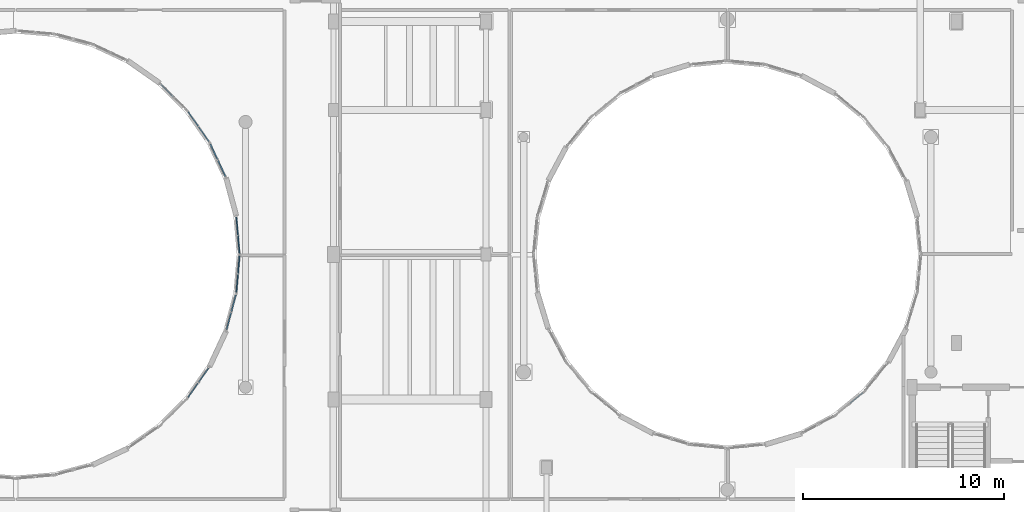
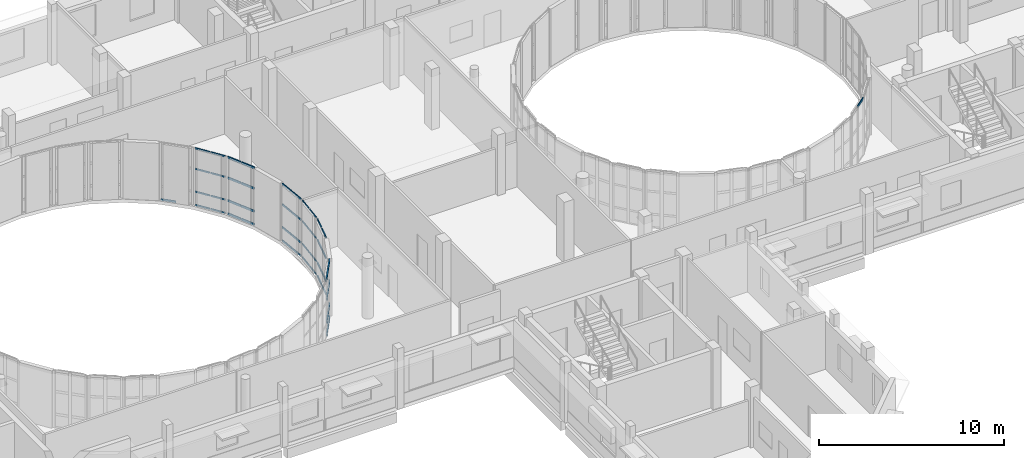
# One storey, part 49 of 92: 50 members, 8 elements without a shape of their own.
"""IFC4 building model written with IfcOpenShell, lengths in metres."""

from ifc_helpers import new_model, si_unit, direction, frame, origin, origin_2d, place, context, subcontext, project, spatial, hollow_rectangle, extrude, material, layer, layer_set, material_profile, profile_set, type_object, element, aggregate, save


model = new_model("IFC4")

# Units and contexts
model_context = context("Model", 3, precision=1e-05, world=origin(), true_north=direction((0.0, 1.0)))
body_context = subcontext(model_context, "Body", "Model", "MODEL_VIEW")
ifc_project = project(units=[si_unit("LENGTHUNIT", "METRE"), si_unit("AREAUNIT", "SQUARE_METRE"), si_unit("VOLUMEUNIT", "CUBIC_METRE"), si_unit("PLANEANGLEUNIT", "RADIAN"), si_unit("MASSUNIT", "GRAM", prefix="KILO")], contexts=[model_context])

# Site, building, storey
site_placement = place(None, origin())
site = spatial("IfcSite", under=ifc_project, at=site_placement, CompositionType="ELEMENT")
building_placement = place(site_placement, origin())
building = spatial("IfcBuilding", under=site, at=building_placement, Name="Kelanivale Promenade Academy", CompositionType="ELEMENT")
storey_placement = place(building_placement, frame((0.0, 0.0, 8.199951171875)))
storey = spatial("IfcBuildingStorey", under=building, at=storey_placement, Name="L02", CompositionType="ELEMENT", Elevation=8.199951171875)

# Curtain wall, members
ifc_material_1 = material(Name="Bronze anodised aluminium and solar-control low-E glass", Category="aluminium")
ifc_layer_1 = layer(ifc_material_1, 0.159912109375)
ifc_layer_set_1 = layer_set([ifc_layer_1], Name="Bronze anodised aluminium and solar-control low-E glass")
curtain_wall_type_1 = type_object("IfcCurtainWallType", Name="CW-09 Curtain Wall 1650mm Module", PredefinedType="USERDEFINED", material=ifc_layer_set_1)
curtain_wall_1_placement = place(storey_placement, origin())
curtain_wall_1 = element("IfcCurtainWall", 1, at=curtain_wall_1_placement, inside=storey, type_object=curtain_wall_type_1, Name="L02 courtyard curtain wall CW-09", ObjectType="UNITISED GLAZING", PredefinedType="USERDEFINED")
ifc_material_2 = material(Name="Bronze anodised aluminium EN AW-6063 T6", Category="aluminium")
ifc_material_profile_1 = material_profile(ifc_material_2, hollow_rectangle(XDim=0.050048828125, YDim=0.10009765625, WallThickness=0.0029296875, at=origin_2d()), Name="ALU 50x100x3.0")
ifc_profile_set_1 = profile_set([ifc_material_profile_1], Name="Bronze anodised aluminium EN AW-6063 T6")
member_type_1 = type_object("IfcMemberType", Name="CWT-01 ALU 50x100x3.0", PredefinedType="USERDEFINED", material=ifc_profile_set_1)
member_1_placement = place(storey_placement, frame((73.006591796875, 62.42919921875, 0.025146484375), z_axis=(-0.573556641726, 0.819165904278, 0.0), x_axis=(-0.819165904278, -0.573556641726, 0.0)))
member_1 = element("IfcMember", 2, at=member_1_placement, type_object=member_type_1, Name="CW-09 transom 1.1", ObjectType="TRANSOM", PredefinedType="USERDEFINED", context=body_context, shape_type="SweptSolid", body=[
    extrude(hollow_rectangle(XDim=0.050048828125, YDim=0.10009765625, WallThickness=0.0029296875, at=origin_2d()), origin(), (0.0, 0.0, 1.0), 0.86865234375),
])
member_2_placement = place(storey_placement, frame((73.006591796875, 62.42919921875, 0.900146484375), z_axis=(-0.573556641726, 0.819165904278, 0.0), x_axis=(-0.819165904278, -0.573556641726, 0.0)))
member_2 = element("IfcMember", 3, at=member_2_placement, type_object=member_type_1, Name="CW-09 transom 1.2", ObjectType="TRANSOM", PredefinedType="USERDEFINED", context=body_context, shape_type="SweptSolid", body=[
    extrude(hollow_rectangle(XDim=0.050048828125, YDim=0.10009765625, WallThickness=0.0029296875, at=origin_2d()), origin(), (0.0, 0.0, 1.0), 0.86865234375),
])
member_3_placement = place(storey_placement, frame((73.006591796875, 62.42919921875, 2.400146484375), z_axis=(-0.573556641726, 0.819165904278, 0.0), x_axis=(-0.819165904278, -0.573556641726, 0.0)))
member_3 = element("IfcMember", 4, at=member_3_placement, type_object=member_type_1, Name="CW-09 transom 1.3", ObjectType="TRANSOM", PredefinedType="USERDEFINED", context=body_context, shape_type="SweptSolid", body=[
    extrude(hollow_rectangle(XDim=0.050048828125, YDim=0.10009765625, WallThickness=0.0029296875, at=origin_2d()), origin(), (0.0, 0.0, 1.0), 0.86865234375),
])
member_4_placement = place(storey_placement, frame((73.006591796875, 62.42919921875, 3.755126953125), z_axis=(-0.573556641726, 0.819165904278, 0.0), x_axis=(-0.819165904278, -0.573556641726, 0.0)))
member_4 = element("IfcMember", 5, at=member_4_placement, type_object=member_type_1, Name="CW-09 transom 1.4", ObjectType="TRANSOM", PredefinedType="USERDEFINED", context=body_context, shape_type="SweptSolid", body=[
    extrude(hollow_rectangle(XDim=0.050048828125, YDim=0.10009765625, WallThickness=0.0029296875, at=origin_2d()), origin(), (0.0, 0.0, 1.0), 0.86865234375),
])
member_5_placement = place(storey_placement, frame((72.473876953125, 63.190185546875, 0.025146484375), z_axis=(-0.573745168069, 0.819033871166, 0.0), x_axis=(-0.819033871166, -0.573745168069, 0.0)))
member_5 = element("IfcMember", 6, at=member_5_placement, type_object=member_type_1, Name="CW-09 transom 2.1", ObjectType="TRANSOM", PredefinedType="USERDEFINED", context=body_context, shape_type="SweptSolid", body=[
    extrude(hollow_rectangle(XDim=0.050048828125, YDim=0.10009765625, WallThickness=0.0029296875, at=origin_2d()), origin(), (0.0, 0.0, 1.0), 0.868896484375),
])
member_6_placement = place(storey_placement, frame((72.473876953125, 63.190185546875, 0.900146484375), z_axis=(-0.573745168069, 0.819033871166, 0.0), x_axis=(-0.819033871166, -0.573745168069, 0.0)))
member_6 = element("IfcMember", 7, at=member_6_placement, type_object=member_type_1, Name="CW-09 transom 2.2", ObjectType="TRANSOM", PredefinedType="USERDEFINED", context=body_context, shape_type="SweptSolid", body=[
    extrude(hollow_rectangle(XDim=0.050048828125, YDim=0.10009765625, WallThickness=0.0029296875, at=origin_2d()), origin(), (0.0, 0.0, 1.0), 0.868896484375),
])
member_7_placement = place(storey_placement, frame((72.473876953125, 63.190185546875, 2.400146484375), z_axis=(-0.573745168069, 0.819033871166, 0.0), x_axis=(-0.819033871166, -0.573745168069, 0.0)))
member_7 = element("IfcMember", 8, at=member_7_placement, type_object=member_type_1, Name="CW-09 transom 2.3", ObjectType="TRANSOM", PredefinedType="USERDEFINED", context=body_context, shape_type="SweptSolid", body=[
    extrude(hollow_rectangle(XDim=0.050048828125, YDim=0.10009765625, WallThickness=0.0029296875, at=origin_2d()), origin(), (0.0, 0.0, 1.0), 0.868896484375),
])
member_8_placement = place(storey_placement, frame((72.473876953125, 63.190185546875, 3.755126953125), z_axis=(-0.573745168069, 0.819033871166, 0.0), x_axis=(-0.819033871166, -0.573745168069, 0.0)))
member_8 = element("IfcMember", 9, at=member_8_placement, type_object=member_type_1, Name="CW-09 transom 2.4", ObjectType="TRANSOM", PredefinedType="USERDEFINED", context=body_context, shape_type="SweptSolid", body=[
    extrude(hollow_rectangle(XDim=0.050048828125, YDim=0.10009765625, WallThickness=0.0029296875, at=origin_2d()), origin(), (0.0, 0.0, 1.0), 0.868896484375),
])
aggregate(curtain_wall_1, [member_1, member_2, member_3, member_4, member_5, member_6, member_7, member_8])

curtain_wall_2_placement = place(storey_placement, origin())
curtain_wall_2 = element("IfcCurtainWall", 10, at=curtain_wall_2_placement, inside=storey, type_object=curtain_wall_type_1, Name="L02 courtyard curtain wall CW-09", ObjectType="UNITISED GLAZING", PredefinedType="USERDEFINED")
member_9_placement = place(storey_placement, frame((74.377197265625, 54.937744140625, 0.025146484375), z_axis=(0.087114660187, 0.996198291496, 0.0), x_axis=(-0.996198291496, 0.087114660187, 0.0)))
member_9 = element("IfcMember", 11, at=member_9_placement, type_object=member_type_1, Name="CW-09 transom 1.1", ObjectType="TRANSOM", PredefinedType="USERDEFINED", context=body_context, shape_type="SweptSolid", body=[
    extrude(hollow_rectangle(XDim=0.050048828125, YDim=0.10009765625, WallThickness=0.0029296875, at=origin_2d()), origin(), (0.0, 0.0, 1.0), 0.868896484375),
])
member_10_placement = place(storey_placement, frame((74.377197265625, 54.937744140625, 0.900146484375), z_axis=(0.087114660187, 0.996198291496, 0.0), x_axis=(-0.996198291496, 0.087114660187, 0.0)))
member_10 = element("IfcMember", 12, at=member_10_placement, type_object=member_type_1, Name="CW-09 transom 1.2", ObjectType="TRANSOM", PredefinedType="USERDEFINED", context=body_context, shape_type="SweptSolid", body=[
    extrude(hollow_rectangle(XDim=0.050048828125, YDim=0.10009765625, WallThickness=0.0029296875, at=origin_2d()), origin(), (0.0, 0.0, 1.0), 0.868896484375),
])
member_11_placement = place(storey_placement, frame((74.377197265625, 54.937744140625, 2.400146484375), z_axis=(0.087114660187, 0.996198291496, 0.0), x_axis=(-0.996198291496, 0.087114660187, 0.0)))
member_11 = element("IfcMember", 13, at=member_11_placement, type_object=member_type_1, Name="CW-09 transom 1.3", ObjectType="TRANSOM", PredefinedType="USERDEFINED", context=body_context, shape_type="SweptSolid", body=[
    extrude(hollow_rectangle(XDim=0.050048828125, YDim=0.10009765625, WallThickness=0.0029296875, at=origin_2d()), origin(), (0.0, 0.0, 1.0), 0.868896484375),
])
member_12_placement = place(storey_placement, frame((74.377197265625, 54.937744140625, 3.755126953125), z_axis=(0.087114660187, 0.996198291496, 0.0), x_axis=(-0.996198291496, 0.087114660187, 0.0)))
member_12 = element("IfcMember", 14, at=member_12_placement, type_object=member_type_1, Name="CW-09 transom 1.4", ObjectType="TRANSOM", PredefinedType="USERDEFINED", context=body_context, shape_type="SweptSolid", body=[
    extrude(hollow_rectangle(XDim=0.050048828125, YDim=0.10009765625, WallThickness=0.0029296875, at=origin_2d()), origin(), (0.0, 0.0, 1.0), 0.868896484375),
])
member_13_placement = place(storey_placement, frame((74.4580078125, 55.86279296875, 0.025146484375), z_axis=(0.087114660187, 0.996198291496, 0.0), x_axis=(-0.996198291496, 0.087114660187, 0.0)))
member_13 = element("IfcMember", 15, at=member_13_placement, type_object=member_type_1, Name="CW-09 transom 2.1", ObjectType="TRANSOM", PredefinedType="USERDEFINED", context=body_context, shape_type="SweptSolid", body=[
    extrude(hollow_rectangle(XDim=0.050048828125, YDim=0.10009765625, WallThickness=0.0029296875, at=origin_2d()), origin(), (0.0, 0.0, 1.0), 0.868896484375),
])
member_14_placement = place(storey_placement, frame((74.4580078125, 55.86279296875, 0.900146484375), z_axis=(0.087114660187, 0.996198291496, 0.0), x_axis=(-0.996198291496, 0.087114660187, 0.0)))
member_14 = element("IfcMember", 16, at=member_14_placement, type_object=member_type_1, Name="CW-09 transom 2.2", ObjectType="TRANSOM", PredefinedType="USERDEFINED", context=body_context, shape_type="SweptSolid", body=[
    extrude(hollow_rectangle(XDim=0.050048828125, YDim=0.10009765625, WallThickness=0.0029296875, at=origin_2d()), origin(), (0.0, 0.0, 1.0), 0.868896484375),
])
member_15_placement = place(storey_placement, frame((74.4580078125, 55.86279296875, 2.400146484375), z_axis=(0.087114660187, 0.996198291496, 0.0), x_axis=(-0.996198291496, 0.087114660187, 0.0)))
member_15 = element("IfcMember", 17, at=member_15_placement, type_object=member_type_1, Name="CW-09 transom 2.3", ObjectType="TRANSOM", PredefinedType="USERDEFINED", context=body_context, shape_type="SweptSolid", body=[
    extrude(hollow_rectangle(XDim=0.050048828125, YDim=0.10009765625, WallThickness=0.0029296875, at=origin_2d()), origin(), (0.0, 0.0, 1.0), 0.868896484375),
])
member_16_placement = place(storey_placement, frame((74.4580078125, 55.86279296875, 3.755126953125), z_axis=(0.087114660187, 0.996198291496, 0.0), x_axis=(-0.996198291496, 0.087114660187, 0.0)))
member_16 = element("IfcMember", 18, at=member_16_placement, type_object=member_type_1, Name="CW-09 transom 2.4", ObjectType="TRANSOM", PredefinedType="USERDEFINED", context=body_context, shape_type="SweptSolid", body=[
    extrude(hollow_rectangle(XDim=0.050048828125, YDim=0.10009765625, WallThickness=0.0029296875, at=origin_2d()), origin(), (0.0, 0.0, 1.0), 0.868896484375),
])
aggregate(curtain_wall_2, [member_9, member_10, member_11, member_12, member_13, member_14, member_15, member_16])

# Curtain wall, member
ifc_layer_2 = layer(ifc_material_1, 0.169921875)
ifc_layer_set_2 = layer_set([ifc_layer_2], Name="Bronze anodised aluminium and solar-control low-E glass")
curtain_wall_type_2 = type_object("IfcCurtainWallType", Name="CW-10 Curtain Wall 1800mm Module", PredefinedType="USERDEFINED", material=ifc_layer_set_2)
curtain_wall_3_placement = place(storey_placement, origin())
curtain_wall_3 = element("IfcCurtainWall", 19, at=curtain_wall_3_placement, inside=storey, type_object=curtain_wall_type_2, Name="L02 courtyard curtain wall CW-10", ObjectType="UNITISED GLAZING", PredefinedType="USERDEFINED")
ifc_material_profile_2 = material_profile(ifc_material_2, hollow_rectangle(XDim=0.050048828125, YDim=0.1201171875, WallThickness=0.0029296875, at=origin_2d()), Name="ALU 50x120x3.0")
ifc_profile_set_2 = profile_set([ifc_material_profile_2], Name="Bronze anodised aluminium EN AW-6063 T6")
member_type_2 = type_object("IfcMemberType", Name="CWT-02 ALU 50x120x3.0", PredefinedType="USERDEFINED", material=ifc_profile_set_2)
member_17_placement = place(storey_placement, frame((71.231689453125, 64.663330078125, 0.025146484375), z_axis=(-0.707106781187, 0.707106781187, 0.0), x_axis=(-0.707106781187, -0.707106781187, 0.0)))
member_17 = element("IfcMember", 20, at=member_17_placement, type_object=member_type_2, Name="CW-10 transom 2.1", ObjectType="TRANSOM", PredefinedType="USERDEFINED", context=body_context, shape_type="SweptSolid", body=[
    extrude(hollow_rectangle(XDim=0.050048828125, YDim=0.1201171875, WallThickness=0.0029296875, at=origin_2d()), origin(), (0.0, 0.0, 1.0), 0.860107421875),
])
aggregate(curtain_wall_3, [member_17])

# Curtain wall, members
curtain_wall_4_placement = place(storey_placement, origin())
curtain_wall_4 = element("IfcCurtainWall", 21, at=curtain_wall_4_placement, inside=storey, type_object=curtain_wall_type_2, Name="L02 courtyard curtain wall CW-10", ObjectType="UNITISED GLAZING", PredefinedType="USERDEFINED")
member_18_placement = place(storey_placement, frame((74.53369140625, 56.871826171875, 0.025146484375), z_axis=(-0.087314650278, 0.996180782713, 0.0), x_axis=(-0.996180782713, -0.087314650278, 0.0)))
member_18 = element("IfcMember", 22, at=member_18_placement, type_object=member_type_2, Name="CW-10 transom 1.1", ObjectType="TRANSOM", PredefinedType="USERDEFINED", context=body_context, shape_type="SweptSolid", body=[
    extrude(hollow_rectangle(XDim=0.050048828125, YDim=0.1201171875, WallThickness=0.0029296875, at=origin_2d()), origin(), (0.0, 0.0, 1.0), 0.861083984375),
])
member_19_placement = place(storey_placement, frame((74.53369140625, 56.871826171875, 0.900146484375), z_axis=(-0.087314650278, 0.996180782713, 0.0), x_axis=(-0.996180782713, -0.087314650278, 0.0)))
member_19 = element("IfcMember", 23, at=member_19_placement, type_object=member_type_2, Name="CW-10 transom 1.2", ObjectType="TRANSOM", PredefinedType="USERDEFINED", context=body_context, shape_type="SweptSolid", body=[
    extrude(hollow_rectangle(XDim=0.050048828125, YDim=0.1201171875, WallThickness=0.0029296875, at=origin_2d()), origin(), (0.0, 0.0, 1.0), 0.861083984375),
])
member_20_placement = place(storey_placement, frame((74.53369140625, 56.871826171875, 2.400146484375), z_axis=(-0.087314650278, 0.996180782713, 0.0), x_axis=(-0.996180782713, -0.087314650278, 0.0)))
member_20 = element("IfcMember", 24, at=member_20_placement, type_object=member_type_2, Name="CW-10 transom 1.3", ObjectType="TRANSOM", PredefinedType="USERDEFINED", context=body_context, shape_type="SweptSolid", body=[
    extrude(hollow_rectangle(XDim=0.050048828125, YDim=0.1201171875, WallThickness=0.0029296875, at=origin_2d()), origin(), (0.0, 0.0, 1.0), 0.861083984375),
])
member_21_placement = place(storey_placement, frame((74.53369140625, 56.871826171875, 3.755126953125), z_axis=(-0.087314650278, 0.996180782713, 0.0), x_axis=(-0.996180782713, -0.087314650278, 0.0)))
member_21 = element("IfcMember", 25, at=member_21_placement, type_object=member_type_2, Name="CW-10 transom 1.4", ObjectType="TRANSOM", PredefinedType="USERDEFINED", context=body_context, shape_type="SweptSolid", body=[
    extrude(hollow_rectangle(XDim=0.050048828125, YDim=0.1201171875, WallThickness=0.0029296875, at=origin_2d()), origin(), (0.0, 0.0, 1.0), 0.861083984375),
])
member_22_placement = place(storey_placement, frame((74.453369140625, 57.789306640625, 0.025146484375), z_axis=(-0.087314650278, 0.996180782713, 0.0), x_axis=(-0.996180782713, -0.087314650278, 0.0)))
member_22 = element("IfcMember", 26, at=member_22_placement, type_object=member_type_2, Name="CW-10 transom 2.1", ObjectType="TRANSOM", PredefinedType="USERDEFINED", context=body_context, shape_type="SweptSolid", body=[
    extrude(hollow_rectangle(XDim=0.050048828125, YDim=0.1201171875, WallThickness=0.0029296875, at=origin_2d()), origin(), (0.0, 0.0, 1.0), 0.861083984375),
])
member_23_placement = place(storey_placement, frame((74.453369140625, 57.789306640625, 0.900146484375), z_axis=(-0.087314650278, 0.996180782713, 0.0), x_axis=(-0.996180782713, -0.087314650278, 0.0)))
member_23 = element("IfcMember", 27, at=member_23_placement, type_object=member_type_2, Name="CW-10 transom 2.2", ObjectType="TRANSOM", PredefinedType="USERDEFINED", context=body_context, shape_type="SweptSolid", body=[
    extrude(hollow_rectangle(XDim=0.050048828125, YDim=0.1201171875, WallThickness=0.0029296875, at=origin_2d()), origin(), (0.0, 0.0, 1.0), 0.861083984375),
])
member_24_placement = place(storey_placement, frame((74.453369140625, 57.789306640625, 2.400146484375), z_axis=(-0.087314650278, 0.996180782713, 0.0), x_axis=(-0.996180782713, -0.087314650278, 0.0)))
member_24 = element("IfcMember", 28, at=member_24_placement, type_object=member_type_2, Name="CW-10 transom 2.3", ObjectType="TRANSOM", PredefinedType="USERDEFINED", context=body_context, shape_type="SweptSolid", body=[
    extrude(hollow_rectangle(XDim=0.050048828125, YDim=0.1201171875, WallThickness=0.0029296875, at=origin_2d()), origin(), (0.0, 0.0, 1.0), 0.861083984375),
])
member_25_placement = place(storey_placement, frame((74.453369140625, 57.789306640625, 3.755126953125), z_axis=(-0.087314650278, 0.996180782713, 0.0), x_axis=(-0.996180782713, -0.087314650278, 0.0)))
member_25 = element("IfcMember", 29, at=member_25_placement, type_object=member_type_2, Name="CW-10 transom 2.4", ObjectType="TRANSOM", PredefinedType="USERDEFINED", context=body_context, shape_type="SweptSolid", body=[
    extrude(hollow_rectangle(XDim=0.050048828125, YDim=0.1201171875, WallThickness=0.0029296875, at=origin_2d()), origin(), (0.0, 0.0, 1.0), 0.861083984375),
])
aggregate(curtain_wall_4, [member_18, member_19, member_20, member_21, member_22, member_23, member_24, member_25])

# Curtain wall, member
ifc_layer_3 = layer(ifc_material_1, 0.159912109375)
ifc_layer_set_3 = layer_set([ifc_layer_3], Name="Bronze anodised aluminium and solar-control low-E glass")
curtain_wall_type_3 = type_object("IfcCurtainWallType", Name="CW-03 Curtain Wall 1650mm Module", PredefinedType="USERDEFINED", material=ifc_layer_set_3)
curtain_wall_5_placement = place(storey_placement, origin())
curtain_wall_5 = element("IfcCurtainWall", 30, at=curtain_wall_5_placement, inside=storey, type_object=curtain_wall_type_3, Name="L02 courtyard curtain wall CW-03", ObjectType="UNITISED GLAZING", PredefinedType="USERDEFINED")
ifc_material_profile_3 = material_profile(ifc_material_2, hollow_rectangle(XDim=0.050048828125, YDim=0.14990234375, WallThickness=0.00341796875, at=origin_2d()), Name="ALU 50x150x3.5")
ifc_profile_set_3 = profile_set([ifc_material_profile_3], Name="Bronze anodised aluminium EN AW-6063 T6")
member_type_3 = type_object("IfcMemberType", Name="CWT-03 ALU 50x150x3.5", PredefinedType="USERDEFINED", material=ifc_profile_set_3)
member_26_placement = place(storey_placement, frame((104.912109375, 49.404052734375, 3.755126953125), z_axis=(0.773095462401, 0.634289686197, 0.0), x_axis=(-0.634289686197, 0.773095462401, 0.0)))
member_26 = element("IfcMember", 31, at=member_26_placement, type_object=member_type_3, Name="CW-03 transom 2.4", ObjectType="TRANSOM", PredefinedType="USERDEFINED", context=body_context, shape_type="SweptSolid", body=[
    extrude(hollow_rectangle(XDim=0.050048828125, YDim=0.14990234375, WallThickness=0.00341796875, at=origin_2d()), origin(), (0.0, 0.0, 1.0), 0.833740234375),
])
aggregate(curtain_wall_5, [member_26])

# Curtain wall, members
ifc_layer_4 = layer(ifc_material_1, 0.169921875)
ifc_layer_set_4 = layer_set([ifc_layer_4], Name="Bronze anodised aluminium and solar-control low-E glass")
curtain_wall_type_4 = type_object("IfcCurtainWallType", Name="CW-07 Curtain Wall 1350mm Module", PredefinedType="USERDEFINED", material=ifc_layer_set_4)
curtain_wall_6_placement = place(storey_placement, origin())
curtain_wall_6 = element("IfcCurtainWall", 32, at=curtain_wall_6_placement, inside=storey, type_object=curtain_wall_type_4, Name="L02 courtyard curtain wall CW-07", ObjectType="UNITISED GLAZING", PredefinedType="USERDEFINED")
member_27_placement = place(storey_placement, frame((71.978271484375, 49.7021484375, 0.025146484375), z_axis=(0.573232065648, 0.819393067406, 0.0), x_axis=(-0.819393067406, 0.573232065648, 0.0)))
member_27 = element("IfcMember", 33, at=member_27_placement, type_object=member_type_3, Name="CW-07 transom 1.1", ObjectType="TRANSOM", PredefinedType="USERDEFINED", context=body_context, shape_type="SweptSolid", body=[
    extrude(hollow_rectangle(XDim=0.050048828125, YDim=0.14990234375, WallThickness=0.00341796875, at=origin_2d()), origin(), (0.0, 0.0, 1.0), 0.85400390625),
])
member_28_placement = place(storey_placement, frame((71.978271484375, 49.7021484375, 0.900146484375), z_axis=(0.573232065648, 0.819393067406, 0.0), x_axis=(-0.819393067406, 0.573232065648, 0.0)))
member_28 = element("IfcMember", 34, at=member_28_placement, type_object=member_type_3, Name="CW-07 transom 1.2", ObjectType="TRANSOM", PredefinedType="USERDEFINED", context=body_context, shape_type="SweptSolid", body=[
    extrude(hollow_rectangle(XDim=0.050048828125, YDim=0.14990234375, WallThickness=0.00341796875, at=origin_2d()), origin(), (0.0, 0.0, 1.0), 0.85400390625),
])
member_29_placement = place(storey_placement, frame((71.978271484375, 49.7021484375, 2.400146484375), z_axis=(0.573232065648, 0.819393067406, 0.0), x_axis=(-0.819393067406, 0.573232065648, 0.0)))
member_29 = element("IfcMember", 35, at=member_29_placement, type_object=member_type_3, Name="CW-07 transom 1.3", ObjectType="TRANSOM", PredefinedType="USERDEFINED", context=body_context, shape_type="SweptSolid", body=[
    extrude(hollow_rectangle(XDim=0.050048828125, YDim=0.14990234375, WallThickness=0.00341796875, at=origin_2d()), origin(), (0.0, 0.0, 1.0), 0.85400390625),
])
member_30_placement = place(storey_placement, frame((71.978271484375, 49.7021484375, 3.755126953125), z_axis=(0.573232065648, 0.819393067406, 0.0), x_axis=(-0.819393067406, 0.573232065648, 0.0)))
member_30 = element("IfcMember", 36, at=member_30_placement, type_object=member_type_3, Name="CW-07 transom 1.4", ObjectType="TRANSOM", PredefinedType="USERDEFINED", context=body_context, shape_type="SweptSolid", body=[
    extrude(hollow_rectangle(XDim=0.050048828125, YDim=0.14990234375, WallThickness=0.00341796875, at=origin_2d()), origin(), (0.0, 0.0, 1.0), 0.85400390625),
])
member_31_placement = place(storey_placement, frame((72.505126953125, 50.455078125, 0.025146484375), z_axis=(0.573232065648, 0.819393067406, 0.0), x_axis=(-0.819393067406, 0.573232065648, 0.0)))
member_31 = element("IfcMember", 37, at=member_31_placement, type_object=member_type_3, Name="CW-07 transom 2.1", ObjectType="TRANSOM", PredefinedType="USERDEFINED", context=body_context, shape_type="SweptSolid", body=[
    extrude(hollow_rectangle(XDim=0.050048828125, YDim=0.14990234375, WallThickness=0.00341796875, at=origin_2d()), origin(), (0.0, 0.0, 1.0), 0.85400390625),
])
member_32_placement = place(storey_placement, frame((72.505126953125, 50.455078125, 0.900146484375), z_axis=(0.573232065648, 0.819393067406, 0.0), x_axis=(-0.819393067406, 0.573232065648, 0.0)))
member_32 = element("IfcMember", 38, at=member_32_placement, type_object=member_type_3, Name="CW-07 transom 2.2", ObjectType="TRANSOM", PredefinedType="USERDEFINED", context=body_context, shape_type="SweptSolid", body=[
    extrude(hollow_rectangle(XDim=0.050048828125, YDim=0.14990234375, WallThickness=0.00341796875, at=origin_2d()), origin(), (0.0, 0.0, 1.0), 0.85400390625),
])
member_33_placement = place(storey_placement, frame((72.505126953125, 50.455078125, 2.400146484375), z_axis=(0.573232065648, 0.819393067406, 0.0), x_axis=(-0.819393067406, 0.573232065648, 0.0)))
member_33 = element("IfcMember", 39, at=member_33_placement, type_object=member_type_3, Name="CW-07 transom 2.3", ObjectType="TRANSOM", PredefinedType="USERDEFINED", context=body_context, shape_type="SweptSolid", body=[
    extrude(hollow_rectangle(XDim=0.050048828125, YDim=0.14990234375, WallThickness=0.00341796875, at=origin_2d()), origin(), (0.0, 0.0, 1.0), 0.85400390625),
])
member_34_placement = place(storey_placement, frame((72.505126953125, 50.455078125, 3.755126953125), z_axis=(0.573232065648, 0.819393067406, 0.0), x_axis=(-0.819393067406, 0.573232065648, 0.0)))
member_34 = element("IfcMember", 40, at=member_34_placement, type_object=member_type_3, Name="CW-07 transom 2.4", ObjectType="TRANSOM", PredefinedType="USERDEFINED", context=body_context, shape_type="SweptSolid", body=[
    extrude(hollow_rectangle(XDim=0.050048828125, YDim=0.14990234375, WallThickness=0.00341796875, at=origin_2d()), origin(), (0.0, 0.0, 1.0), 0.85400390625),
])
aggregate(curtain_wall_6, [member_27, member_28, member_29, member_30, member_31, member_32, member_33, member_34])

ifc_layer_5 = layer(ifc_material_1, 0.179931640625)
ifc_layer_set_5 = layer_set([ifc_layer_5], Name="Bronze anodised aluminium and solar-control low-E glass")
curtain_wall_type_5 = type_object("IfcCurtainWallType", Name="CW-08 Curtain Wall 1500mm Module", PredefinedType="USERDEFINED", material=ifc_layer_set_5)
curtain_wall_7_placement = place(storey_placement, origin())
curtain_wall_7 = element("IfcCurtainWall", 41, at=curtain_wall_7_placement, inside=storey, type_object=curtain_wall_type_5, Name="L02 courtyard curtain wall CW-08", ObjectType="UNITISED GLAZING", PredefinedType="USERDEFINED")
ifc_material_profile_4 = material_profile(ifc_material_2, hollow_rectangle(XDim=0.06005859375, YDim=0.139892578125, WallThickness=0.00341796875, at=origin_2d()), Name="ALU 60x140x3.5")
ifc_profile_set_4 = profile_set([ifc_material_profile_4], Name="Bronze anodised aluminium EN AW-6063 T6")
member_type_4 = type_object("IfcMemberType", Name="CWT-04 ALU 60x140x3.5", PredefinedType="USERDEFINED", material=ifc_profile_set_4)
member_35_placement = place(storey_placement, frame((73.83056640625, 60.69384765625, 0.030029296875), z_axis=(-0.423151534201, 0.906058926949, 0.0), x_axis=(-0.906058926949, -0.423151534201, 0.0)))
member_35 = element("IfcMember", 42, at=member_35_placement, type_object=member_type_4, Name="CW-08 transom 1.1", ObjectType="TRANSOM", PredefinedType="USERDEFINED", context=body_context, shape_type="SweptSolid", body=[
    extrude(hollow_rectangle(XDim=0.06005859375, YDim=0.139892578125, WallThickness=0.00341796875, at=origin_2d()), origin(), (0.0, 0.0, 1.0), 0.85400390625),
])
member_36_placement = place(storey_placement, frame((73.83056640625, 60.69384765625, 0.900146484375), z_axis=(-0.423151534201, 0.906058926949, 0.0), x_axis=(-0.906058926949, -0.423151534201, 0.0)))
member_36 = element("IfcMember", 43, at=member_36_placement, type_object=member_type_4, Name="CW-08 transom 1.2", ObjectType="TRANSOM", PredefinedType="USERDEFINED", context=body_context, shape_type="SweptSolid", body=[
    extrude(hollow_rectangle(XDim=0.06005859375, YDim=0.139892578125, WallThickness=0.00341796875, at=origin_2d()), origin(), (0.0, 0.0, 1.0), 0.85400390625),
])
member_37_placement = place(storey_placement, frame((73.83056640625, 60.69384765625, 2.400146484375), z_axis=(-0.423151534201, 0.906058926949, 0.0), x_axis=(-0.906058926949, -0.423151534201, 0.0)))
member_37 = element("IfcMember", 44, at=member_37_placement, type_object=member_type_4, Name="CW-08 transom 1.3", ObjectType="TRANSOM", PredefinedType="USERDEFINED", context=body_context, shape_type="SweptSolid", body=[
    extrude(hollow_rectangle(XDim=0.06005859375, YDim=0.139892578125, WallThickness=0.00341796875, at=origin_2d()), origin(), (0.0, 0.0, 1.0), 0.85400390625),
])
member_38_placement = place(storey_placement, frame((73.83056640625, 60.69384765625, 3.75), z_axis=(-0.423151534201, 0.906058926949, 0.0), x_axis=(-0.906058926949, -0.423151534201, 0.0)))
member_38 = element("IfcMember", 45, at=member_38_placement, type_object=member_type_4, Name="CW-08 transom 1.4", ObjectType="TRANSOM", PredefinedType="USERDEFINED", context=body_context, shape_type="SweptSolid", body=[
    extrude(hollow_rectangle(XDim=0.06005859375, YDim=0.139892578125, WallThickness=0.00341796875, at=origin_2d()), origin(), (0.0, 0.0, 1.0), 0.85400390625),
])
member_39_placement = place(storey_placement, frame((73.441650390625, 61.5263671875, 0.030029296875), z_axis=(-0.42291677323, 0.906168528984, 0.0), x_axis=(-0.906168528984, -0.42291677323, 0.0)))
member_39 = element("IfcMember", 46, at=member_39_placement, type_object=member_type_4, Name="CW-08 transom 2.1", ObjectType="TRANSOM", PredefinedType="USERDEFINED", context=body_context, shape_type="SweptSolid", body=[
    extrude(hollow_rectangle(XDim=0.06005859375, YDim=0.139892578125, WallThickness=0.00341796875, at=origin_2d()), origin(), (0.0, 0.0, 1.0), 0.853759765625),
])
member_40_placement = place(storey_placement, frame((73.441650390625, 61.5263671875, 0.900146484375), z_axis=(-0.42291677323, 0.906168528984, 0.0), x_axis=(-0.906168528984, -0.42291677323, 0.0)))
member_40 = element("IfcMember", 47, at=member_40_placement, type_object=member_type_4, Name="CW-08 transom 2.2", ObjectType="TRANSOM", PredefinedType="USERDEFINED", context=body_context, shape_type="SweptSolid", body=[
    extrude(hollow_rectangle(XDim=0.06005859375, YDim=0.139892578125, WallThickness=0.00341796875, at=origin_2d()), origin(), (0.0, 0.0, 1.0), 0.853759765625),
])
member_41_placement = place(storey_placement, frame((73.441650390625, 61.5263671875, 2.400146484375), z_axis=(-0.42291677323, 0.906168528984, 0.0), x_axis=(-0.906168528984, -0.42291677323, 0.0)))
member_41 = element("IfcMember", 48, at=member_41_placement, type_object=member_type_4, Name="CW-08 transom 2.3", ObjectType="TRANSOM", PredefinedType="USERDEFINED", context=body_context, shape_type="SweptSolid", body=[
    extrude(hollow_rectangle(XDim=0.06005859375, YDim=0.139892578125, WallThickness=0.00341796875, at=origin_2d()), origin(), (0.0, 0.0, 1.0), 0.853759765625),
])
member_42_placement = place(storey_placement, frame((73.441650390625, 61.5263671875, 3.75), z_axis=(-0.42291677323, 0.906168528984, 0.0), x_axis=(-0.906168528984, -0.42291677323, 0.0)))
member_42 = element("IfcMember", 49, at=member_42_placement, type_object=member_type_4, Name="CW-08 transom 2.4", ObjectType="TRANSOM", PredefinedType="USERDEFINED", context=body_context, shape_type="SweptSolid", body=[
    extrude(hollow_rectangle(XDim=0.06005859375, YDim=0.139892578125, WallThickness=0.00341796875, at=origin_2d()), origin(), (0.0, 0.0, 1.0), 0.853759765625),
])
aggregate(curtain_wall_7, [member_35, member_36, member_37, member_38, member_39, member_40, member_41, member_42])

curtain_wall_8_placement = place(storey_placement, origin())
curtain_wall_8 = element("IfcCurtainWall", 50, at=curtain_wall_8_placement, inside=storey, type_object=curtain_wall_type_5, Name="L02 courtyard curtain wall CW-08", ObjectType="UNITISED GLAZING", PredefinedType="USERDEFINED")
member_43_placement = place(storey_placement, frame((73.892822265625, 53.078857421875, 0.030029296875), z_axis=(0.258516900111, 0.966006735151, 0.0), x_axis=(-0.966006735151, 0.258516900111, 0.0)))
member_43 = element("IfcMember", 51, at=member_43_placement, type_object=member_type_4, Name="CW-08 transom 1.1", ObjectType="TRANSOM", PredefinedType="USERDEFINED", context=body_context, shape_type="SweptSolid", body=[
    extrude(hollow_rectangle(XDim=0.06005859375, YDim=0.139892578125, WallThickness=0.00341796875, at=origin_2d()), origin(), (0.0, 0.0, 1.0), 0.853759765625),
])
member_44_placement = place(storey_placement, frame((73.892822265625, 53.078857421875, 0.900146484375), z_axis=(0.258516900111, 0.966006735151, 0.0), x_axis=(-0.966006735151, 0.258516900111, 0.0)))
member_44 = element("IfcMember", 52, at=member_44_placement, type_object=member_type_4, Name="CW-08 transom 1.2", ObjectType="TRANSOM", PredefinedType="USERDEFINED", context=body_context, shape_type="SweptSolid", body=[
    extrude(hollow_rectangle(XDim=0.06005859375, YDim=0.139892578125, WallThickness=0.00341796875, at=origin_2d()), origin(), (0.0, 0.0, 1.0), 0.853759765625),
])
member_45_placement = place(storey_placement, frame((73.892822265625, 53.078857421875, 2.400146484375), z_axis=(0.258516900111, 0.966006735151, 0.0), x_axis=(-0.966006735151, 0.258516900111, 0.0)))
member_45 = element("IfcMember", 53, at=member_45_placement, type_object=member_type_4, Name="CW-08 transom 1.3", ObjectType="TRANSOM", PredefinedType="USERDEFINED", context=body_context, shape_type="SweptSolid", body=[
    extrude(hollow_rectangle(XDim=0.06005859375, YDim=0.139892578125, WallThickness=0.00341796875, at=origin_2d()), origin(), (0.0, 0.0, 1.0), 0.853759765625),
])
member_46_placement = place(storey_placement, frame((73.892822265625, 53.078857421875, 3.75), z_axis=(0.258516900111, 0.966006735151, 0.0), x_axis=(-0.966006735151, 0.258516900111, 0.0)))
member_46 = element("IfcMember", 54, at=member_46_placement, type_object=member_type_4, Name="CW-08 transom 1.4", ObjectType="TRANSOM", PredefinedType="USERDEFINED", context=body_context, shape_type="SweptSolid", body=[
    extrude(hollow_rectangle(XDim=0.06005859375, YDim=0.139892578125, WallThickness=0.00341796875, at=origin_2d()), origin(), (0.0, 0.0, 1.0), 0.853759765625),
])
member_47_placement = place(storey_placement, frame((74.13037109375, 53.96630859375, 0.030029296875), z_axis=(0.258445504102, 0.966025838893, 0.0), x_axis=(-0.966025838893, 0.258445504102, 0.0)))
member_47 = element("IfcMember", 55, at=member_47_placement, type_object=member_type_4, Name="CW-08 transom 2.1", ObjectType="TRANSOM", PredefinedType="USERDEFINED", context=body_context, shape_type="SweptSolid", body=[
    extrude(hollow_rectangle(XDim=0.06005859375, YDim=0.139892578125, WallThickness=0.00341796875, at=origin_2d()), origin(), (0.0, 0.0, 1.0), 0.85400390625),
])
member_48_placement = place(storey_placement, frame((74.13037109375, 53.96630859375, 0.900146484375), z_axis=(0.258445504102, 0.966025838893, 0.0), x_axis=(-0.966025838893, 0.258445504102, 0.0)))
member_48 = element("IfcMember", 56, at=member_48_placement, type_object=member_type_4, Name="CW-08 transom 2.2", ObjectType="TRANSOM", PredefinedType="USERDEFINED", context=body_context, shape_type="SweptSolid", body=[
    extrude(hollow_rectangle(XDim=0.06005859375, YDim=0.139892578125, WallThickness=0.00341796875, at=origin_2d()), origin(), (0.0, 0.0, 1.0), 0.85400390625),
])
member_49_placement = place(storey_placement, frame((74.13037109375, 53.96630859375, 2.400146484375), z_axis=(0.258445504102, 0.966025838893, 0.0), x_axis=(-0.966025838893, 0.258445504102, 0.0)))
member_49 = element("IfcMember", 57, at=member_49_placement, type_object=member_type_4, Name="CW-08 transom 2.3", ObjectType="TRANSOM", PredefinedType="USERDEFINED", context=body_context, shape_type="SweptSolid", body=[
    extrude(hollow_rectangle(XDim=0.06005859375, YDim=0.139892578125, WallThickness=0.00341796875, at=origin_2d()), origin(), (0.0, 0.0, 1.0), 0.85400390625),
])
member_50_placement = place(storey_placement, frame((74.13037109375, 53.96630859375, 3.75), z_axis=(0.258445504102, 0.966025838893, 0.0), x_axis=(-0.966025838893, 0.258445504102, 0.0)))
member_50 = element("IfcMember", 58, at=member_50_placement, type_object=member_type_4, Name="CW-08 transom 2.4", ObjectType="TRANSOM", PredefinedType="USERDEFINED", context=body_context, shape_type="SweptSolid", body=[
    extrude(hollow_rectangle(XDim=0.06005859375, YDim=0.139892578125, WallThickness=0.00341796875, at=origin_2d()), origin(), (0.0, 0.0, 1.0), 0.85400390625),
])
aggregate(curtain_wall_8, [member_43, member_44, member_45, member_46, member_47, member_48, member_49, member_50])

save(model, "model.ifc")
